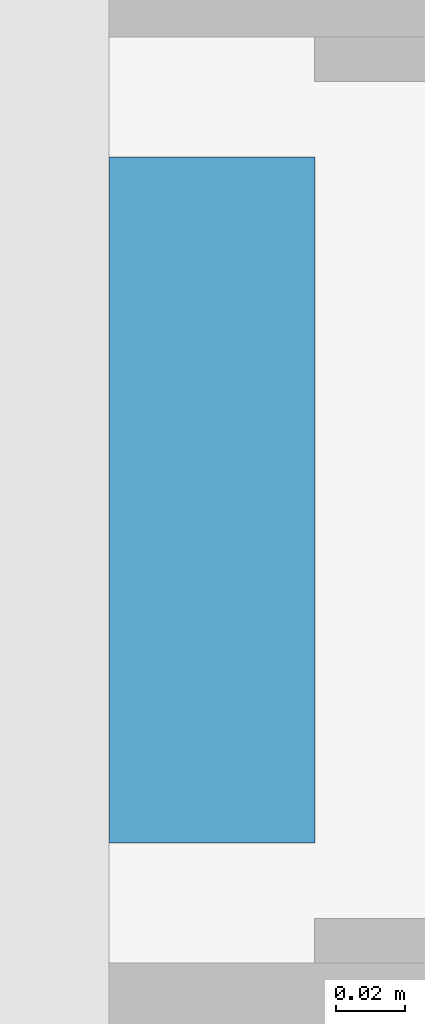
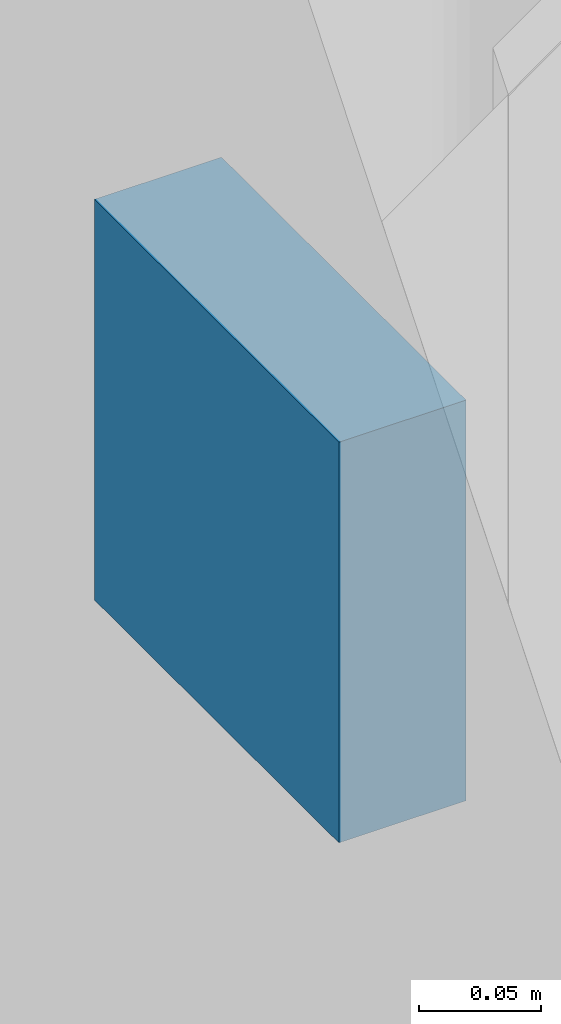
# One storey, part 98 of 134: 1 discrete accessory.
"""IFC4 building model written with IfcOpenShell, lengths in metres."""

from ifc_helpers import new_model, si_unit, direction, frame, origin, origin_2d, place, context, subcontext, project, spatial, rectangle, extrude, material, type_object, element, save


model = new_model("IFC4")

# Units and contexts
model_context = context("Model", 3, precision=1e-05, world=origin(), true_north=direction((0.0, 1.0)))
body_context = subcontext(model_context, "Body", "Model", "MODEL_VIEW")
ifc_project = project(units=[si_unit("LENGTHUNIT", "METRE"), si_unit("AREAUNIT", "SQUARE_METRE"), si_unit("VOLUMEUNIT", "CUBIC_METRE"), si_unit("PLANEANGLEUNIT", "RADIAN"), si_unit("MASSUNIT", "GRAM", prefix="KILO")], contexts=[model_context])

# Site, building, storey
site_placement = place(None, origin())
site = spatial("IfcSite", under=ifc_project, at=site_placement, CompositionType="ELEMENT")
building_placement = place(site_placement, origin())
building = spatial("IfcBuilding", under=site, at=building_placement, Name="Golden Quay Civic Hall", CompositionType="ELEMENT")
storey_placement = place(building_placement, frame((0.0, 0.0, 5.39990234375)))
storey = spatial("IfcBuildingStorey", under=building, at=storey_placement, Name="L01", CompositionType="ELEMENT", Elevation=5.39990234375)

# Discrete accessory
ifc_material = material(Name="Steel S355", Category="steel")
discrete_accessory_type = type_object("IfcDiscreteAccessoryType", Name="Pier fixing bracket 200 x 200", PredefinedType="BRACKET", material=ifc_material)
discrete_accessory_placement = place(storey_placement, frame((53.830078125, 18.0, 1.39990234375), z_axis=(0.0, 0.0, 1.0), x_axis=(0.0, -1.0, 0.0)))
element("IfcDiscreteAccessory", 1, at=discrete_accessory_placement, inside=storey, type_object=discrete_accessory_type, Name="Pier fixing bracket 200 x 200 L01 13", PredefinedType="BRACKET", context=body_context, shape_type="SweptSolid", body=[
    extrude(rectangle(XDim=0.199951171875, YDim=0.06005859375, at=origin_2d()), origin(), (0.0, 0.0, 1.0), 0.199951171875),
])

save(model, "model.ifc")
